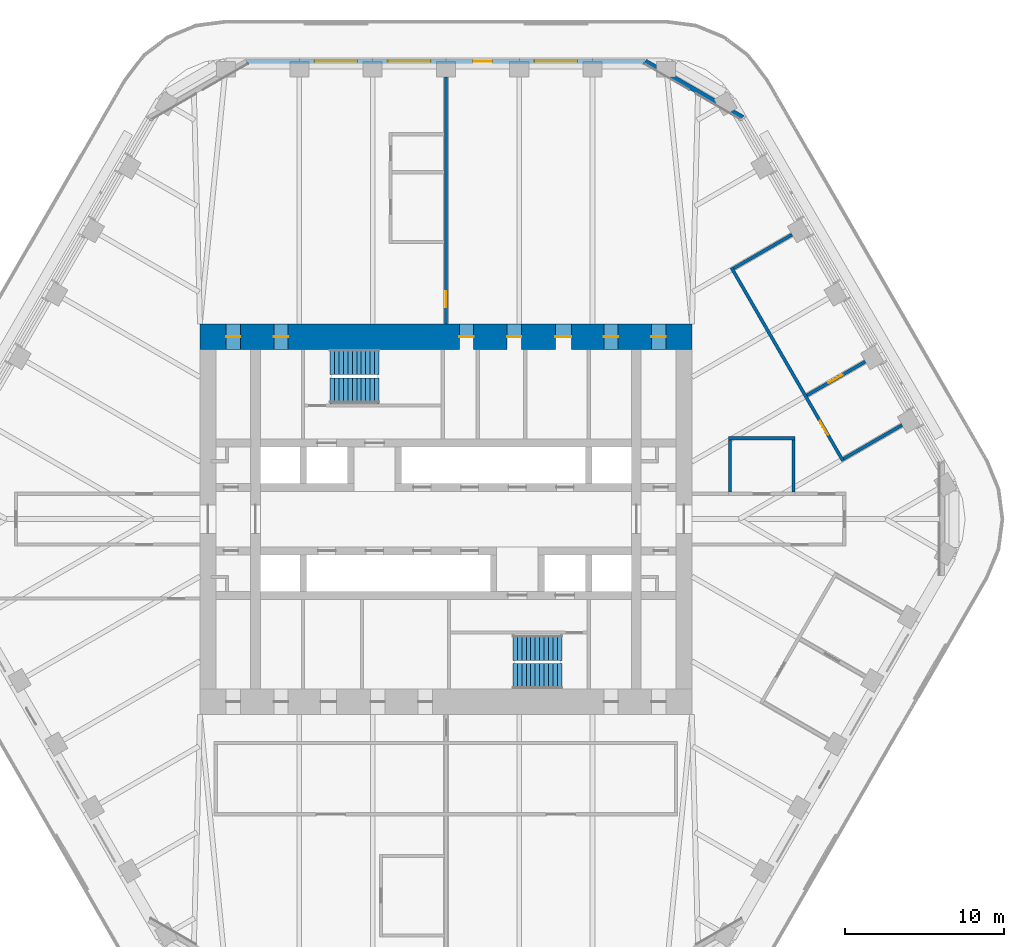
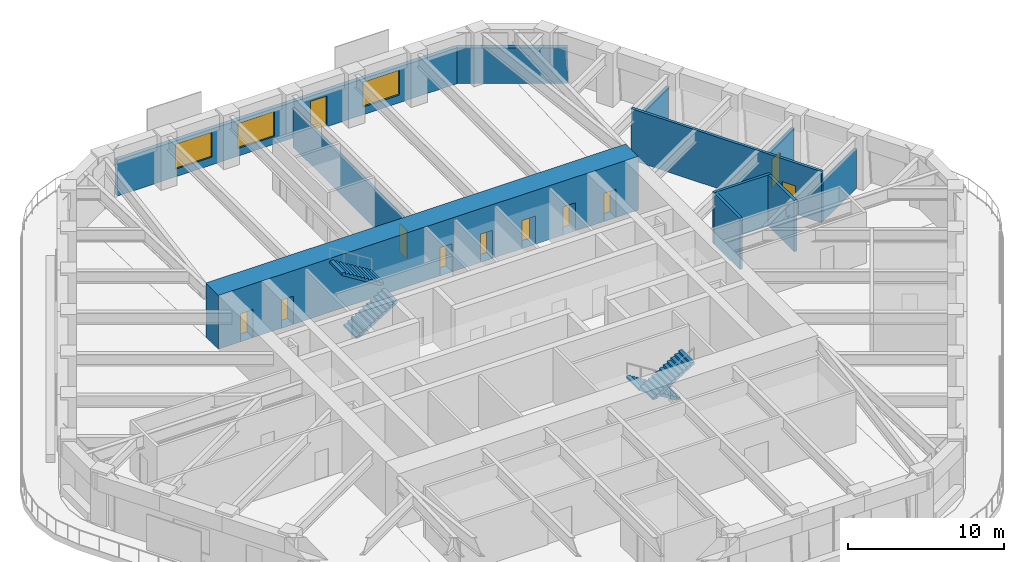
# One storey, part 17 of 20: 11 doors, 11 walls, 4 stair flights, 3 windows, 14 openings, 2 elements without a shape of their own.
"""IFC4 building model written with IfcOpenShell, lengths in metres."""

from ifc_helpers import new_model, si_unit, direction, frame, frame_2d, origin, place, context, subcontext, project, spatial, polyline, rectangle, outline, extrude, material, layer, layer_set, type_object, element, fill, aggregate, save


model = new_model("IFC4")

# Units and contexts
model_context = context("Model", 3, precision=1e-05, world=origin(), true_north=direction((0.0, 1.0)))
body_context = subcontext(model_context, "Body", "Model", "MODEL_VIEW")
ifc_project = project(units=[si_unit("LENGTHUNIT", "METRE"), si_unit("AREAUNIT", "SQUARE_METRE"), si_unit("VOLUMEUNIT", "CUBIC_METRE"), si_unit("PLANEANGLEUNIT", "RADIAN"), si_unit("MASSUNIT", "GRAM", prefix="KILO")], contexts=[model_context])

# Site, building, storey
site_placement = place(None, origin())
site = spatial("IfcSite", under=ifc_project, at=site_placement, CompositionType="ELEMENT")
building_placement = place(site_placement, origin())
building = spatial("IfcBuilding", under=site, at=building_placement, Name="Tarfa Lantern Tower", CompositionType="ELEMENT")
storey_placement = place(building_placement, frame((0.0, 0.0, 261.699951171875)))
storey = spatial("IfcBuildingStorey", under=building, at=storey_placement, Name="L59", CompositionType="ELEMENT", Elevation=261.699951171875)

# Wall
ifc_material_1 = material(Name="Limestone cladding on blockwork", Category="masonry")
ifc_layer_1 = layer(ifc_material_1, 0.300048828125)
ifc_layer_set_1 = layer_set([ifc_layer_1], Name="EW1 STONE-CLAD WALL 300")
wall_type_1 = type_object("IfcWallType", Name="EW1 STONE-CLAD WALL 300", PredefinedType="SOLIDWALL", material=ifc_layer_set_1)
wall_1_placement = place(storey_placement, frame((18.70654296875, 25.299072265625, 0.0), z_axis=(0.0, 0.0, 1.0), x_axis=(-0.866010973379, 0.500024993363, 0.0)))
element("IfcWall", 1, at=wall_1_placement, inside=storey, type_object=wall_type_1, Name="Garden wall NE-N", PredefinedType="SOLIDWALL", context=body_context, shape_type="SweptSolid", body=[
    extrude(rectangle(XDim=7.101806640625, YDim=0.300048828125, at=frame_2d((3.55078125, 0.0))), origin(), (0.0, 0.0, 1.0), 2.800048828125),
])

# Wall, openings, door, windows
wall_2_placement = place(storey_placement, frame((12.556396484375, 28.85009765625, 0.0), z_axis=(0.0, 0.0, 1.0), x_axis=(-1.0, 0.0, 0.0)))
wall_2 = element("IfcWall", 2, at=wall_2_placement, inside=storey, type_object=wall_type_1, Name="Stone wall N", PredefinedType="SOLIDWALL", context=body_context, shape_type="SweptSolid", body=[
    extrude(rectangle(XDim=25.11279296875, YDim=0.300048828125, at=frame_2d((12.556396484375, 0.0))), origin(), (0.0, 0.0, 1.0), 2.800048828125),
])
opening_1_placement = place(wall_2_placement, frame((4.2783203125, 0.0, 0.60009765625)))
opening_1 = element("IfcOpeningElement", 3, at=opening_1_placement, cuts=wall_2, Name="Opening W14", PredefinedType="OPENING", context=body_context, shape_type="SweptSolid", body=[
    extrude(rectangle(XDim=2.699951171875, YDim=1.949951171875, at=frame_2d((1.35009765625, 0.97509765625))), frame((0.0, 0.159912109375, 0.0), z_axis=(0.0, -1.0, 0.0), x_axis=(1.0, 0.0, 0.0)), (0.0, 0.0, 1.0), 0.320068359375),
])
opening_2_placement = place(wall_2_placement, frame((9.64697265625, 0.0, 0.0)))
opening_2 = element("IfcOpeningElement", 4, at=opening_2_placement, cuts=wall_2, Name="Opening D46", PredefinedType="OPENING", context=body_context, shape_type="SweptSolid", body=[
    extrude(rectangle(XDim=1.199951171875, YDim=2.39990234375, at=frame_2d((0.60009765625, 1.199951171875))), frame((0.0, 0.159912109375, 0.0), z_axis=(0.0, -1.0, 0.0), x_axis=(1.0, 0.0, 0.0)), (0.0, 0.0, 1.0), 0.320068359375),
])
opening_3_placement = place(wall_2_placement, frame((13.515869140625, 0.0, 0.60009765625)))
opening_3 = element("IfcOpeningElement", 5, at=opening_3_placement, cuts=wall_2, Name="Opening W14", PredefinedType="OPENING", context=body_context, shape_type="SweptSolid", body=[
    extrude(rectangle(XDim=2.699951171875, YDim=1.949951171875, at=frame_2d((1.35009765625, 0.97509765625))), frame((0.0, 0.159912109375, 0.0), z_axis=(0.0, -1.0, 0.0), x_axis=(1.0, 0.0, 0.0)), (0.0, 0.0, 1.0), 0.320068359375),
])
opening_4_placement = place(wall_2_placement, frame((18.134521484375, 0.0, 0.60009765625)))
opening_4 = element("IfcOpeningElement", 6, at=opening_4_placement, cuts=wall_2, Name="Opening W14", PredefinedType="OPENING", context=body_context, shape_type="SweptSolid", body=[
    extrude(rectangle(XDim=2.699951171875, YDim=1.949951171875, at=frame_2d((1.35009765625, 0.97509765625))), frame((0.0, 0.159912109375, 0.0), z_axis=(0.0, -1.0, 0.0), x_axis=(1.0, 0.0, 0.0)), (0.0, 0.0, 1.0), 0.320068359375),
])
ifc_material_2 = material(Name="Aluminium framed glazed door", Category="aluminium")
door_type_1 = type_object("IfcDoorType", Name="BE3 BALCONY DOOR 1200x2400", OperationType="SINGLE_SWING_RIGHT", PredefinedType="DOOR", material=ifc_material_2)
door_1_placement = place(opening_2_placement, origin())
door_1 = element("IfcDoor", 7, at=door_1_placement, inside=storey, type_object=door_type_1, Name="Balcony door N", OperationType="SINGLE_SWING_LEFT", OverallHeight=2.39990234375, OverallWidth=1.199951171875, PredefinedType="DOOR", context=body_context, shape_type="SweptSolid", body=[
    extrude(rectangle(XDim=1.199951171875, YDim=2.39990234375, at=frame_2d((0.60009765625, 1.199951171875))), frame((0.0, 0.02490234375, 0.0), z_axis=(0.0, -1.0, 0.0), x_axis=(1.0, 0.0, 0.0)), (0.0, 0.0, 1.0), 0.050048828125),
])
fill(opening_2, door_1)
ifc_material_3 = material(Name="Aluminium frame, double glazed", Category="aluminium")
window_type = type_object("IfcWindowType", Name="W14 FULL-HEIGHT GLAZING 2700x1950", PartitioningType="SINGLE_PANEL", PredefinedType="WINDOW", material=ifc_material_3)
window_1_placement = place(opening_1_placement, origin())
window_1 = element("IfcWindow", 8, at=window_1_placement, inside=storey, type_object=window_type, Name="Window N 2", OverallHeight=1.949951171875, OverallWidth=2.699951171875, PartitioningType="SINGLE_PANEL", PredefinedType="WINDOW", context=body_context, shape_type="SweptSolid", body=[
    extrude(rectangle(XDim=2.699951171875, YDim=1.949951171875, at=frame_2d((1.35009765625, 0.97509765625))), frame((0.0, 0.030029296875, 0.0), z_axis=(0.0, -1.0, 0.0), x_axis=(1.0, 0.0, 0.0)), (0.0, 0.0, 1.0), 0.06005859375),
])
fill(opening_1, window_1)
window_2_placement = place(opening_3_placement, origin())
window_2 = element("IfcWindow", 9, at=window_2_placement, inside=storey, type_object=window_type, Name="Window N 4", OverallHeight=1.949951171875, OverallWidth=2.699951171875, PartitioningType="SINGLE_PANEL", PredefinedType="WINDOW", context=body_context, shape_type="SweptSolid", body=[
    extrude(rectangle(XDim=2.699951171875, YDim=1.949951171875, at=frame_2d((1.35009765625, 0.97509765625))), frame((0.0, 0.030029296875, 0.0), z_axis=(0.0, -1.0, 0.0), x_axis=(1.0, 0.0, 0.0)), (0.0, 0.0, 1.0), 0.06005859375),
])
fill(opening_3, window_2)
window_3_placement = place(opening_4_placement, origin())
window_3 = element("IfcWindow", 10, at=window_3_placement, inside=storey, type_object=window_type, Name="Window N 5", OverallHeight=1.949951171875, OverallWidth=2.699951171875, PartitioningType="SINGLE_PANEL", PredefinedType="WINDOW", context=body_context, shape_type="SweptSolid", body=[
    extrude(rectangle(XDim=2.699951171875, YDim=1.949951171875, at=frame_2d((1.35009765625, 0.97509765625))), frame((0.0, 0.030029296875, 0.0), z_axis=(0.0, -1.0, 0.0), x_axis=(1.0, 0.0, 0.0)), (0.0, 0.0, 1.0), 0.06005859375),
])
fill(opening_4, window_3)

# Wall, opening, door
ifc_material_4 = material(Name="Gypsum board on steel studs", Category="steel")
ifc_layer_2 = layer(ifc_material_4, 0.2099609375)
ifc_layer_set_2 = layer_set([ifc_layer_2], Name="IW2 ACOUSTIC PARTITION 200")
wall_type_2 = type_object("IfcWallType", Name="IW2 ACOUSTIC PARTITION 200", PredefinedType="PARTITIONING", material=ifc_layer_set_2)
wall_3_placement = place(storey_placement, frame((25.0205078125, 3.663330078125, 0.0), z_axis=(0.0, 0.0, 1.0), x_axis=(-0.500002095642, 0.866024193862, 0.0)))
wall_3 = element("IfcWall", 11, at=wall_3_placement, inside=storey, type_object=wall_type_2, Name="Partition", PredefinedType="PARTITIONING", context=body_context, shape_type="SweptSolid", body=[
    extrude(rectangle(XDim=14.056640625, YDim=0.199951171875, at=frame_2d((7.0283203125, 0.0))), origin(), (0.0, 0.0, 1.0), 4.0),
])
opening_5_placement = place(wall_3_placement, frame((1.909423828125, 0.0, 0.0)))
opening_5 = element("IfcOpeningElement", 12, at=opening_5_placement, cuts=wall_3, Name="Opening D28", PredefinedType="OPENING", context=body_context, shape_type="SweptSolid", body=[
    extrude(rectangle(XDim=1.0, YDim=2.199951171875, at=frame_2d((0.5, 1.10009765625))), frame((0.0, 0.10986328125, 0.0), z_axis=(0.0, -1.0, 0.0), x_axis=(1.0, 0.0, 0.0)), (0.0, 0.0, 1.0), 0.219970703125),
])
ifc_material_5 = material(Name="Timber door", Category="wood")
door_type_2 = type_object("IfcDoorType", Name="DR1 ROOM DOOR 1000x2200", OperationType="SINGLE_SWING_LEFT", PredefinedType="DOOR", material=ifc_material_5)
door_2_placement = place(opening_5_placement, frame((1.0, 0.0, 0.0), z_axis=(0.0, 0.0, 1.0), x_axis=(-1.0, 0.0, 0.0)))
door_2 = element("IfcDoor", 13, at=door_2_placement, inside=storey, type_object=door_type_2, Name="Client reception door", OperationType="SINGLE_SWING_LEFT", OverallHeight=2.199951171875, OverallWidth=1.0, PredefinedType="DOOR", context=body_context, shape_type="SweptSolid", body=[
    extrude(rectangle(XDim=1.0, YDim=2.199951171875, at=frame_2d((0.5, 1.10009765625))), frame((0.0, 0.02490234375, 0.0), z_axis=(0.0, -1.0, 0.0), x_axis=(1.0, 0.0, 0.0)), (0.0, 0.0, 1.0), 0.050048828125),
])
fill(opening_5, door_2)

# Wall
wall_4_placement = place(storey_placement, frame((25.056884765625, 3.800048828125, 0.0), z_axis=(0.0, 0.0, 1.0), x_axis=(0.866028703517, 0.499994284652, 0.0)))
element("IfcWall", 14, at=wall_4_placement, inside=storey, type_object=wall_type_2, Name="Partition", PredefinedType="PARTITIONING", context=body_context, shape_type="SweptSolid", body=[
    extrude(rectangle(XDim=4.25, YDim=0.199951171875, at=frame_2d((2.125, 0.0))), origin(), (0.0, 0.0, 1.0), 3.08154296875),
])

# Wall, opening, door
wall_5_placement = place(storey_placement, frame((22.74755859375, 7.800048828125, 0.0), z_axis=(0.0, 0.0, 1.0), x_axis=(0.866028703517, 0.499994284652, 0.0)))
wall_5 = element("IfcWall", 15, at=wall_5_placement, inside=storey, type_object=wall_type_2, Name="Partition", PredefinedType="PARTITIONING", context=body_context, shape_type="SweptSolid", body=[
    extrude(rectangle(XDim=4.25, YDim=0.199951171875, at=frame_2d((2.125, 0.0))), origin(), (0.0, 0.0, 1.0), 3.08154296875),
])
opening_6_placement = place(wall_5_placement, frame((1.574951171875, 0.0, 0.0)))
opening_6 = element("IfcOpeningElement", 16, at=opening_6_placement, cuts=wall_5, Name="Opening D29", PredefinedType="OPENING", context=body_context, shape_type="SweptSolid", body=[
    extrude(rectangle(XDim=1.0, YDim=2.199951171875, at=frame_2d((0.5, 1.10009765625))), frame((0.0, 0.10986328125, 0.0), z_axis=(0.0, -1.0, 0.0), x_axis=(1.0, 0.0, 0.0)), (0.0, 0.0, 1.0), 0.219970703125),
])
door_3_placement = place(opening_6_placement, frame((1.0, 0.0, 0.0), z_axis=(0.0, 0.0, 1.0), x_axis=(-1.0, 0.0, 0.0)))
door_3 = element("IfcDoor", 17, at=door_3_placement, inside=storey, type_object=door_type_2, Name="Majlis door", OperationType="SINGLE_SWING_LEFT", OverallHeight=2.199951171875, OverallWidth=1.0, PredefinedType="DOOR", context=body_context, shape_type="SweptSolid", body=[
    extrude(rectangle(XDim=1.0, YDim=2.199951171875, at=frame_2d((0.5, 1.10009765625))), frame((0.0, 0.02490234375, 0.0), z_axis=(0.0, -1.0, 0.0), x_axis=(1.0, 0.0, 0.0)), (0.0, 0.0, 1.0), 0.050048828125),
])
fill(opening_6, door_3)

# Walls
wall_6_placement = place(storey_placement, frame((18.12890625, 15.800048828125, 0.0), z_axis=(0.0, 0.0, 1.0), x_axis=(0.866014341725, 0.50001915956, 0.0)))
element("IfcWall", 18, at=wall_6_placement, inside=storey, type_object=wall_type_2, Name="Partition", PredefinedType="PARTITIONING", context=body_context, shape_type="SweptSolid", body=[
    extrude(rectangle(XDim=4.249755859375, YDim=0.199951171875, at=frame_2d((2.125, 0.0))), origin(), (0.0, 0.0, 1.0), 3.08154296875),
])
wall_7_placement = place(storey_placement, frame((17.800048828125, 5.10009765625, 0.0), z_axis=(0.0, 0.0, 1.0), x_axis=(1.0, 0.0, 0.0)))
element("IfcWall", 19, at=wall_7_placement, inside=storey, type_object=wall_type_2, Name="Partition", PredefinedType="PARTITIONING", context=body_context, shape_type="SweptSolid", body=[
    extrude(rectangle(XDim=4.199951171875, YDim=0.199951171875, at=frame_2d((2.10009765625, 0.0))), origin(), (0.0, 0.0, 1.0), 4.0),
])
for number, where, z_axis, x_axis, name in (
    (20, (17.89990234375, 1.699951171875, 0.0), (0.0, 0.0, 1.0), (0.0, 1.0, 0.0), "Partition"),
    (21, (21.89990234375, 1.699951171875, 0.0), (0.0, 0.0, 1.0), (0.0, 1.0, 0.0), "Partition"),
):
    element("IfcWall", number, at=place(storey_placement, frame(where, z_axis=z_axis, x_axis=x_axis)), inside=storey, type_object=wall_type_2, Name=name, PredefinedType="PARTITIONING", context=body_context, shape_type="SweptSolid", body=[
        extrude(rectangle(XDim=3.300048828125, YDim=0.199951171875, at=frame_2d((1.64990234375, 0.0))), origin(), (0.0, 0.0, 1.0), 4.0),
    ])

# Wall, opening, door
wall_8_placement = place(storey_placement, frame((0.0, 12.300048828125, 0.0), z_axis=(0.0, 0.0, 1.0), x_axis=(0.0, 1.0, 0.0)))
wall_8 = element("IfcWall", 22, at=wall_8_placement, inside=storey, type_object=wall_type_2, Name="Partition", PredefinedType="PARTITIONING", context=body_context, shape_type="SweptSolid", body=[
    extrude(rectangle(XDim=15.550048828125, YDim=0.199951171875, at=frame_2d((7.77490234375, 0.0))), origin(), (0.0, 0.0, 1.0), 2.991943359375),
])
opening_7_placement = place(wall_8_placement, frame((1.054931640625, 0.0, 0.0)))
opening_7 = element("IfcOpeningElement", 23, at=opening_7_placement, cuts=wall_8, Name="Opening D43", PredefinedType="OPENING", context=body_context, shape_type="SweptSolid", body=[
    extrude(rectangle(XDim=1.0, YDim=2.199951171875, at=frame_2d((0.5, 1.10009765625))), frame((0.0, 0.10986328125, 0.0), z_axis=(0.0, -1.0, 0.0), x_axis=(1.0, 0.0, 0.0)), (0.0, 0.0, 1.0), 0.219970703125),
])
door_4_placement = place(opening_7_placement, origin())
door_4 = element("IfcDoor", 24, at=door_4_placement, inside=storey, type_object=door_type_2, Name="Zone door", OperationType="SINGLE_SWING_RIGHT", OverallHeight=2.199951171875, OverallWidth=1.0, PredefinedType="DOOR", context=body_context, shape_type="SweptSolid", body=[
    extrude(rectangle(XDim=1.0, YDim=2.199951171875, at=frame_2d((0.5, 1.10009765625))), frame((0.0, 0.02490234375, 0.0), z_axis=(0.0, -1.0, 0.0), x_axis=(1.0, 0.0, 0.0)), (0.0, 0.0, 1.0), 0.050048828125),
])
fill(opening_7, door_4)

# Wall, openings, doors
ifc_material_6 = material(Name="Concrete C80/95", Category="concrete")
ifc_layer_3 = layer(ifc_material_6, 1.60009765625)
ifc_layer_set_3 = layer_set([ifc_layer_3], Name="SW7 CORE WALL 1600")
wall_type_3 = type_object("IfcWallType", Name="SW7 CORE WALL 1600", PredefinedType="SHEAR", material=ifc_layer_set_3)
wall_9_placement = place(storey_placement, frame((-15.5, 11.5, 0.0), z_axis=(0.0, 0.0, 1.0), x_axis=(1.0, 0.0, 0.0)))
wall_9 = element("IfcWall", 25, at=wall_9_placement, inside=storey, type_object=wall_type_3, Name="Core wall N", PredefinedType="SHEAR", context=body_context, shape_type="SweptSolid", body=[
    extrude(rectangle(XDim=31.0, YDim=1.60009765625, at=frame_2d((15.5, 0.0))), origin(), (0.0, 0.0, 1.0), 4.199951171875),
])
opening_8_placement = place(wall_9_placement, frame((16.35009765625, 0.0, 0.0)))
opening_8 = element("IfcOpeningElement", 26, at=opening_8_placement, cuts=wall_9, Name="Opening D17", PredefinedType="OPENING", context=body_context, shape_type="SweptSolid", body=[
    extrude(rectangle(XDim=0.89990234375, YDim=2.199951171875, at=frame_2d((0.449951171875, 1.10009765625))), frame((0.0, 0.81005859375, 0.0), z_axis=(0.0, -1.0, 0.0), x_axis=(1.0, 0.0, 0.0)), (0.0, 0.0, 1.0), 1.6201171875),
])
opening_9_placement = place(wall_9_placement, frame((19.35009765625, 0.0, 0.0)))
opening_9 = element("IfcOpeningElement", 27, at=opening_9_placement, cuts=wall_9, Name="Opening D19", PredefinedType="OPENING", context=body_context, shape_type="SweptSolid", body=[
    extrude(rectangle(XDim=0.89990234375, YDim=2.199951171875, at=frame_2d((0.449951171875, 1.10009765625))), frame((0.0, 0.81005859375, 0.0), z_axis=(0.0, -1.0, 0.0), x_axis=(1.0, 0.0, 0.0)), (0.0, 0.0, 1.0), 1.6201171875),
])
opening_10_placement = place(wall_9_placement, frame((22.39990234375, 0.0, 0.0)))
opening_10 = element("IfcOpeningElement", 28, at=opening_10_placement, cuts=wall_9, Name="Opening D21", PredefinedType="OPENING", context=body_context, shape_type="SweptSolid", body=[
    extrude(rectangle(XDim=1.0, YDim=2.199951171875, at=frame_2d((0.5, 1.10009765625))), frame((0.0, 0.81005859375, 0.0), z_axis=(0.0, -1.0, 0.0), x_axis=(1.0, 0.0, 0.0)), (0.0, 0.0, 1.0), 1.6201171875),
])
opening_11_placement = place(wall_9_placement, frame((1.64990234375, 0.0, 0.0)))
opening_11 = element("IfcOpeningElement", 29, at=opening_11_placement, cuts=wall_9, Name="Opening D07", PredefinedType="OPENING", context=body_context, shape_type="SweptSolid", body=[
    extrude(rectangle(XDim=0.89990234375, YDim=2.199951171875, at=frame_2d((0.449951171875, 1.10009765625))), frame((0.0, 0.81005859375, 0.0), z_axis=(0.0, -1.0, 0.0), x_axis=(1.0, 0.0, 0.0)), (0.0, 0.0, 1.0), 1.6201171875),
])
opening_12_placement = place(wall_9_placement, frame((4.64990234375, 0.0, 0.0)))
opening_12 = element("IfcOpeningElement", 30, at=opening_12_placement, cuts=wall_9, Name="Opening D05", PredefinedType="OPENING", context=body_context, shape_type="SweptSolid", body=[
    extrude(rectangle(XDim=0.89990234375, YDim=2.199951171875, at=frame_2d((0.449951171875, 1.10009765625))), frame((0.0, 0.81005859375, 0.0), z_axis=(0.0, -1.0, 0.0), x_axis=(1.0, 0.0, 0.0)), (0.0, 0.0, 1.0), 1.6201171875),
])
opening_13_placement = place(wall_9_placement, frame((25.449951171875, 0.0, 0.0)))
opening_13 = element("IfcOpeningElement", 31, at=opening_13_placement, cuts=wall_9, Name="Opening D03", PredefinedType="OPENING", context=body_context, shape_type="SweptSolid", body=[
    extrude(rectangle(XDim=0.89990234375, YDim=2.199951171875, at=frame_2d((0.449951171875, 1.10009765625))), frame((0.0, 0.81005859375, 0.0), z_axis=(0.0, -1.0, 0.0), x_axis=(1.0, 0.0, 0.0)), (0.0, 0.0, 1.0), 1.6201171875),
])
opening_14_placement = place(wall_9_placement, frame((28.449951171875, 0.0, 0.0)))
opening_14 = element("IfcOpeningElement", 32, at=opening_14_placement, cuts=wall_9, Name="Opening D01", PredefinedType="OPENING", context=body_context, shape_type="SweptSolid", body=[
    extrude(rectangle(XDim=0.89990234375, YDim=2.199951171875, at=frame_2d((0.449951171875, 1.10009765625))), frame((0.0, 0.81005859375, 0.0), z_axis=(0.0, -1.0, 0.0), x_axis=(1.0, 0.0, 0.0)), (0.0, 0.0, 1.0), 1.6201171875),
])
ifc_material_7 = material(Name="Steel fire door", Category="steel")
door_type_3 = type_object("IfcDoorType", Name="DF3 CORE ROOM DOOR 900x2200", OperationType="SINGLE_SWING_LEFT", PredefinedType="DOOR", material=ifc_material_7)
door_5_placement = place(opening_8_placement, frame((0.89990234375, 0.0, 0.0), z_axis=(0.0, 0.0, 1.0), x_axis=(-1.0, 0.0, 0.0)))
door_5 = element("IfcDoor", 33, at=door_5_placement, inside=storey, type_object=door_type_3, Name="Core door", OperationType="SINGLE_SWING_RIGHT", OverallHeight=2.199951171875, OverallWidth=0.89990234375, PredefinedType="DOOR", context=body_context, shape_type="SweptSolid", body=[
    extrude(rectangle(XDim=0.89990234375, YDim=2.199951171875, at=frame_2d((0.449951171875, 1.10009765625))), frame((0.0, 0.02490234375, 0.0), z_axis=(0.0, -1.0, 0.0), x_axis=(1.0, 0.0, 0.0)), (0.0, 0.0, 1.0), 0.050048828125),
])
fill(opening_8, door_5)
door_6_placement = place(opening_9_placement, frame((0.89990234375, 0.0, 0.0), z_axis=(0.0, 0.0, 1.0), x_axis=(-1.0, 0.0, 0.0)))
door_6 = element("IfcDoor", 34, at=door_6_placement, inside=storey, type_object=door_type_3, Name="Core door", OperationType="SINGLE_SWING_RIGHT", OverallHeight=2.199951171875, OverallWidth=0.89990234375, PredefinedType="DOOR", context=body_context, shape_type="SweptSolid", body=[
    extrude(rectangle(XDim=0.89990234375, YDim=2.199951171875, at=frame_2d((0.449951171875, 1.10009765625))), frame((0.0, 0.02490234375, 0.0), z_axis=(0.0, -1.0, 0.0), x_axis=(1.0, 0.0, 0.0)), (0.0, 0.0, 1.0), 0.050048828125),
])
fill(opening_9, door_6)
door_type_4 = type_object("IfcDoorType", Name="DF4 CORE ROOM DOOR 1000x2200", OperationType="SINGLE_SWING_LEFT", PredefinedType="DOOR", material=ifc_material_7)
door_7_placement = place(opening_10_placement, frame((1.0, 0.0, 0.0), z_axis=(0.0, 0.0, 1.0), x_axis=(-1.0, 0.0, 0.0)))
door_7 = element("IfcDoor", 35, at=door_7_placement, inside=storey, type_object=door_type_4, Name="Core door", OperationType="SINGLE_SWING_RIGHT", OverallHeight=2.199951171875, OverallWidth=1.0, PredefinedType="DOOR", context=body_context, shape_type="SweptSolid", body=[
    extrude(rectangle(XDim=1.0, YDim=2.199951171875, at=frame_2d((0.5, 1.10009765625))), frame((0.0, 0.02490234375, 0.0), z_axis=(0.0, -1.0, 0.0), x_axis=(1.0, 0.0, 0.0)), (0.0, 0.0, 1.0), 0.050048828125),
])
fill(opening_10, door_7)
door_type_5 = type_object("IfcDoorType", Name="DF5 RISER DOOR 900x2200", OperationType="SINGLE_SWING_LEFT", PredefinedType="DOOR", material=ifc_material_7)
door_8_placement = place(opening_11_placement, frame((0.89990234375, 0.0, 0.0), z_axis=(0.0, 0.0, 1.0), x_axis=(-1.0, 0.0, 0.0)))
door_8 = element("IfcDoor", 36, at=door_8_placement, inside=storey, type_object=door_type_5, Name="Riser door", OperationType="SINGLE_SWING_LEFT", OverallHeight=2.199951171875, OverallWidth=0.89990234375, PredefinedType="DOOR", context=body_context, shape_type="SweptSolid", body=[
    extrude(rectangle(XDim=0.89990234375, YDim=2.199951171875, at=frame_2d((0.449951171875, 1.10009765625))), frame((0.0, 0.02490234375, 0.0), z_axis=(0.0, -1.0, 0.0), x_axis=(1.0, 0.0, 0.0)), (0.0, 0.0, 1.0), 0.050048828125),
])
fill(opening_11, door_8)
door_9_placement = place(opening_12_placement, frame((0.89990234375, 0.0, 0.0), z_axis=(0.0, 0.0, 1.0), x_axis=(-1.0, 0.0, 0.0)))
door_9 = element("IfcDoor", 37, at=door_9_placement, inside=storey, type_object=door_type_5, Name="Riser door", OperationType="SINGLE_SWING_LEFT", OverallHeight=2.199951171875, OverallWidth=0.89990234375, PredefinedType="DOOR", context=body_context, shape_type="SweptSolid", body=[
    extrude(rectangle(XDim=0.89990234375, YDim=2.199951171875, at=frame_2d((0.449951171875, 1.10009765625))), frame((0.0, 0.02490234375, 0.0), z_axis=(0.0, -1.0, 0.0), x_axis=(1.0, 0.0, 0.0)), (0.0, 0.0, 1.0), 0.050048828125),
])
fill(opening_12, door_9)
door_10_placement = place(opening_13_placement, frame((0.89990234375, 0.0, 0.0), z_axis=(0.0, 0.0, 1.0), x_axis=(-1.0, 0.0, 0.0)))
door_10 = element("IfcDoor", 38, at=door_10_placement, inside=storey, type_object=door_type_5, Name="Riser door", OperationType="SINGLE_SWING_RIGHT", OverallHeight=2.199951171875, OverallWidth=0.89990234375, PredefinedType="DOOR", context=body_context, shape_type="SweptSolid", body=[
    extrude(rectangle(XDim=0.89990234375, YDim=2.199951171875, at=frame_2d((0.449951171875, 1.10009765625))), frame((0.0, 0.02490234375, 0.0), z_axis=(0.0, -1.0, 0.0), x_axis=(1.0, 0.0, 0.0)), (0.0, 0.0, 1.0), 0.050048828125),
])
fill(opening_13, door_10)
door_11_placement = place(opening_14_placement, frame((0.89990234375, 0.0, 0.0), z_axis=(0.0, 0.0, 1.0), x_axis=(-1.0, 0.0, 0.0)))
door_11 = element("IfcDoor", 39, at=door_11_placement, inside=storey, type_object=door_type_5, Name="Riser door", OperationType="SINGLE_SWING_RIGHT", OverallHeight=2.199951171875, OverallWidth=0.89990234375, PredefinedType="DOOR", context=body_context, shape_type="SweptSolid", body=[
    extrude(rectangle(XDim=0.89990234375, YDim=2.199951171875, at=frame_2d((0.449951171875, 1.10009765625))), frame((0.0, 0.02490234375, 0.0), z_axis=(0.0, -1.0, 0.0), x_axis=(1.0, 0.0, 0.0)), (0.0, 0.0, 1.0), 0.050048828125),
])
fill(opening_14, door_11)

# Stair, stair flights
ifc_material_8 = material(Name="Concrete C40/50", Category="concrete")
stair_type = type_object("IfcStairType", Name="ST-T10 HALF-TURN STAIR 4200 RISE", PredefinedType="HALF_TURN_STAIR", material=ifc_material_8)
stair_1_placement = place(storey_placement, origin())
stair_1 = element("IfcStair", 40, at=stair_1_placement, inside=storey, type_object=stair_type, Name="Stair ST1", PredefinedType="HALF_TURN_STAIR")
stair_flight_type = type_object("IfcStairFlightType", Name="SF1 STAIR FLIGHT", PredefinedType="STRAIGHT", material=ifc_material_8)
stair_flight_1_placement = place(storey_placement, frame((-7.300048828125, 8.10009765625, 0.0), z_axis=(0.0, 0.0, 1.0), x_axis=(1.0, 0.0, 0.0)))
stair_flight_1 = element("IfcStairFlight", 41, at=stair_flight_1_placement, type_object=stair_flight_type, Name="ST1 flight 1", NumberOfRisers=12, NumberOfTreads=11, PredefinedType="STRAIGHT", RiserHeight=0.175, TreadLength=0.28, context=body_context, shape_type="SweptSolid", body=[
    extrude(outline(polyline([(0.0, 0.0), (0.0, 0.175048828125), (0.280029296875, 0.175048828125), (0.280029296875, 0.35009765625), (0.56005859375, 0.35009765625), (0.56005859375, 0.52490234375), (0.840087890625, 0.52490234375), (0.840087890625, 0.699951171875), (1.1201171875, 0.699951171875), (1.1201171875, 0.875), (1.39990234375, 0.875), (1.39990234375, 1.050048828125), (1.679931640625, 1.050048828125), (1.679931640625, 1.22509765625), (1.9599609375, 1.22509765625), (1.9599609375, 1.39990234375), (2.239990234375, 1.39990234375), (2.239990234375, 1.574951171875), (2.52001953125, 1.574951171875), (2.52001953125, 1.75), (2.800048828125, 1.75), (2.800048828125, 1.925048828125), (3.080078125, 1.925048828125), (3.080078125, 2.10009765625), (3.080078125, 1.748291015625), (0.28271484375, 0.0), (0.0, 0.0)])), frame((0.0, 0.800048828125, 0.0), z_axis=(0.0, -1.0, 0.0), x_axis=(1.0, 0.0, 0.0)), (0.0, 0.0, 1.0), 1.60009765625),
])
stair_flight_2_placement = place(storey_placement, frame((-4.219970703125, 9.89990234375, 2.10009765625), z_axis=(0.0, 0.0, 1.0), x_axis=(-1.0, 0.0, 0.0)))
stair_flight_2 = element("IfcStairFlight", 42, at=stair_flight_2_placement, type_object=stair_flight_type, Name="ST1 flight 2", NumberOfRisers=12, NumberOfTreads=11, PredefinedType="STRAIGHT", RiserHeight=0.175, TreadLength=0.28, context=body_context, shape_type="SweptSolid", body=[
    extrude(outline(polyline([(0.0, 0.0), (0.0, 0.175048828125), (0.280029296875, 0.175048828125), (0.280029296875, 0.35009765625), (0.56005859375, 0.35009765625), (0.56005859375, 0.52490234375), (0.840087890625, 0.52490234375), (0.840087890625, 0.699951171875), (1.1201171875, 0.699951171875), (1.1201171875, 0.875), (1.39990234375, 0.875), (1.39990234375, 1.050048828125), (1.679931640625, 1.050048828125), (1.679931640625, 1.22509765625), (1.9599609375, 1.22509765625), (1.9599609375, 1.39990234375), (2.239990234375, 1.39990234375), (2.239990234375, 1.574951171875), (2.52001953125, 1.574951171875), (2.52001953125, 1.75), (2.800048828125, 1.75), (2.800048828125, 1.925048828125), (3.080078125, 1.925048828125), (3.080078125, 2.10009765625), (3.080078125, 1.748291015625), (0.28271484375, 0.0), (0.0, 0.0)])), frame((0.0, 0.800048828125, 0.0), z_axis=(0.0, -1.0, 0.0), x_axis=(1.0, 0.0, 0.0)), (0.0, 0.0, 1.0), 1.60009765625),
])
aggregate(stair_1, [stair_flight_1, stair_flight_2])

stair_2_placement = place(storey_placement, origin())
stair_2 = element("IfcStair", 43, at=stair_2_placement, inside=storey, type_object=stair_type, Name="Stair ST2", PredefinedType="HALF_TURN_STAIR")
stair_flight_3_placement = place(storey_placement, frame((7.300048828125, -8.10009765625, 0.0), z_axis=(0.0, 0.0, 1.0), x_axis=(-1.0, 0.0, 0.0)))
stair_flight_3 = element("IfcStairFlight", 44, at=stair_flight_3_placement, type_object=stair_flight_type, Name="ST2 flight 1", NumberOfRisers=12, NumberOfTreads=11, PredefinedType="STRAIGHT", RiserHeight=0.175, TreadLength=0.28, context=body_context, shape_type="SweptSolid", body=[
    extrude(outline(polyline([(0.0, 0.0), (0.0, 0.175048828125), (0.280029296875, 0.175048828125), (0.280029296875, 0.35009765625), (0.56005859375, 0.35009765625), (0.56005859375, 0.52490234375), (0.840087890625, 0.52490234375), (0.840087890625, 0.699951171875), (1.1201171875, 0.699951171875), (1.1201171875, 0.875), (1.39990234375, 0.875), (1.39990234375, 1.050048828125), (1.679931640625, 1.050048828125), (1.679931640625, 1.22509765625), (1.9599609375, 1.22509765625), (1.9599609375, 1.39990234375), (2.239990234375, 1.39990234375), (2.239990234375, 1.574951171875), (2.52001953125, 1.574951171875), (2.52001953125, 1.75), (2.800048828125, 1.75), (2.800048828125, 1.925048828125), (3.080078125, 1.925048828125), (3.080078125, 2.10009765625), (3.080078125, 1.748291015625), (0.28271484375, 0.0), (0.0, 0.0)])), frame((0.0, 0.800048828125, 0.0), z_axis=(0.0, -1.0, 0.0), x_axis=(1.0, 0.0, 0.0)), (0.0, 0.0, 1.0), 1.60009765625),
])
stair_flight_4_placement = place(storey_placement, frame((4.219970703125, -9.89990234375, 2.10009765625), z_axis=(0.0, 0.0, 1.0), x_axis=(1.0, 0.0, 0.0)))
stair_flight_4 = element("IfcStairFlight", 45, at=stair_flight_4_placement, type_object=stair_flight_type, Name="ST2 flight 2", NumberOfRisers=12, NumberOfTreads=11, PredefinedType="STRAIGHT", RiserHeight=0.175, TreadLength=0.28, context=body_context, shape_type="SweptSolid", body=[
    extrude(outline(polyline([(0.0, 0.0), (0.0, 0.175048828125), (0.280029296875, 0.175048828125), (0.280029296875, 0.35009765625), (0.56005859375, 0.35009765625), (0.56005859375, 0.52490234375), (0.840087890625, 0.52490234375), (0.840087890625, 0.699951171875), (1.1201171875, 0.699951171875), (1.1201171875, 0.875), (1.39990234375, 0.875), (1.39990234375, 1.050048828125), (1.679931640625, 1.050048828125), (1.679931640625, 1.22509765625), (1.9599609375, 1.22509765625), (1.9599609375, 1.39990234375), (2.239990234375, 1.39990234375), (2.239990234375, 1.574951171875), (2.52001953125, 1.574951171875), (2.52001953125, 1.75), (2.800048828125, 1.75), (2.800048828125, 1.925048828125), (3.080078125, 1.925048828125), (3.080078125, 2.10009765625), (3.080078125, 1.748291015625), (0.28271484375, 0.0), (0.0, 0.0)])), frame((0.0, 0.800048828125, 0.0), z_axis=(0.0, -1.0, 0.0), x_axis=(1.0, 0.0, 0.0)), (0.0, 0.0, 1.0), 1.60009765625),
])
aggregate(stair_2, [stair_flight_3, stair_flight_4])

save(model, "model.ifc")
